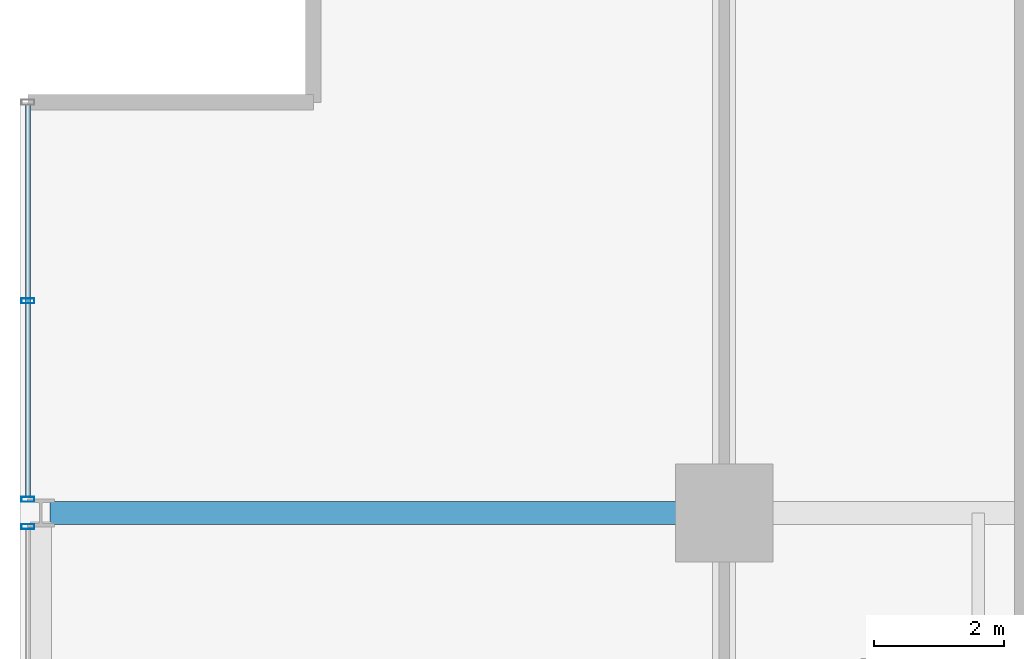
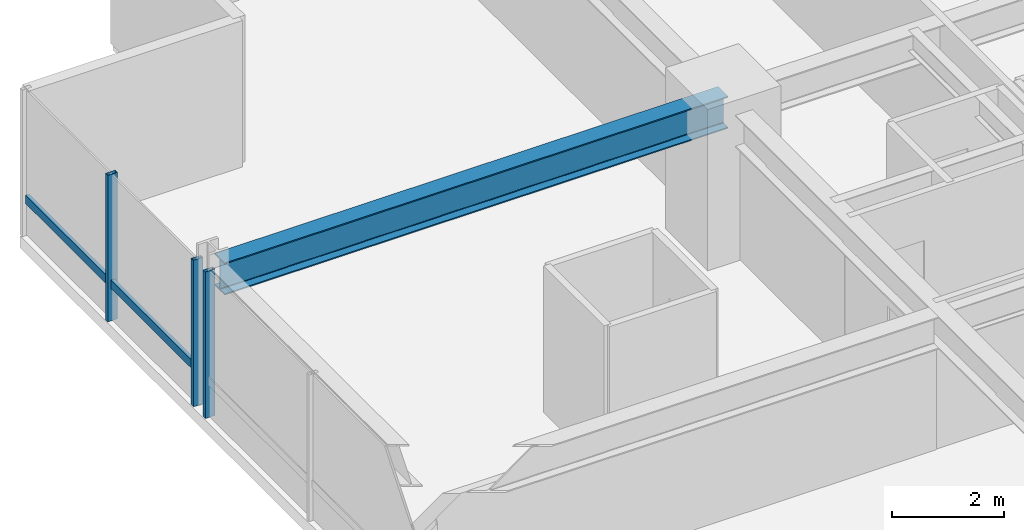
# One storey, part 18 of 35: 4 members, 1 beam, 2 elements without a shape of their own.
"""IFC4 building model written with IfcOpenShell, lengths in metres."""

from ifc_helpers import new_model, si_unit, direction, frame, origin, origin_2d, place, context, subcontext, project, spatial, hollow_rectangle, i_section, extrude, material, layer, layer_set, material_profile, profile_set, type_object, element, aggregate, save


model = new_model("IFC4")

# Units and contexts
model_context = context("Model", 3, precision=1e-05, world=origin(), true_north=direction((0.0, 1.0)))
body_context = subcontext(model_context, "Body", "Model", "MODEL_VIEW")
ifc_project = project(units=[si_unit("LENGTHUNIT", "METRE"), si_unit("AREAUNIT", "SQUARE_METRE"), si_unit("VOLUMEUNIT", "CUBIC_METRE"), si_unit("PLANEANGLEUNIT", "RADIAN"), si_unit("MASSUNIT", "GRAM", prefix="KILO")], contexts=[model_context])

# Site, building, storey
site_placement = place(None, origin())
site = spatial("IfcSite", under=ifc_project, at=site_placement, CompositionType="ELEMENT")
building_placement = place(site_placement, origin())
building = spatial("IfcBuilding", under=site, at=building_placement, Name="Drelvath Grand Hotel", CompositionType="ELEMENT")
storey_placement = place(building_placement, frame((0.0, 0.0, 137.300048828125)))
storey = spatial("IfcBuildingStorey", under=building, at=storey_placement, Name="L35", CompositionType="ELEMENT", Elevation=137.300048828125)

# Curtain wall, member
ifc_material_1 = material(Name="Champagne Bronze Anodised Aluminium Frame", Category="aluminium")
ifc_layer = layer(ifc_material_1, 0.199951171875)
ifc_layer_set = layer_set([ifc_layer], Name="Champagne Bronze Anodised Aluminium Frame")
curtain_wall_type = type_object("IfcCurtainWallType", Name="Stick Curtain Wall CW-03 Champagne Bronze Mid-Rise", PredefinedType="NOTDEFINED", material=ifc_layer_set)
curtain_wall_1_placement = place(storey_placement, origin())
curtain_wall_1 = element("IfcCurtainWall", 1, at=curtain_wall_1_placement, inside=storey, type_object=curtain_wall_type, Name="L35 CW-03 Curtain Wall CW03-L35-WN3", PredefinedType="NOTDEFINED")
ifc_material_profile_1 = material_profile(ifc_material_1, hollow_rectangle(XDim=0.074951171875, YDim=0.179931640625, WallThickness=0.0048828125, at=origin_2d()), Name="HSS180X75X5")
ifc_profile_set_1 = profile_set([ifc_material_profile_1], Name="Champagne Bronze Anodised Aluminium Frame")
member_type_1 = type_object("IfcMemberType", Name="Curtain Wall Horizontal Transom CW-03 HSS180X75X5", PredefinedType="USERDEFINED", material=ifc_profile_set_1)
member_1_placement = place(storey_placement, frame((-26.8798828125, 43.449462890625, 0.794921875), z_axis=(0.0, 1.0, 0.0), x_axis=(-1.0, 0.0, 0.0)))
member_1 = element("IfcMember", 2, at=member_1_placement, type_object=member_type_1, Name="CW03-L35-WN3 Sill Transom", ObjectType="TRANSOM", PredefinedType="USERDEFINED", context=body_context, shape_type="SweptSolid", body=[
    extrude(hollow_rectangle(XDim=0.074951171875, YDim=0.179931640625, WallThickness=0.0048828125, at=origin_2d()), origin(), (0.0, 0.0, 1.0), 6.010498046875),
])

curtain_wall_2_placement = place(storey_placement, origin())
curtain_wall_2 = element("IfcCurtainWall", 3, at=curtain_wall_2_placement, inside=storey, type_object=curtain_wall_type, Name="L35 CW-03 Curtain Wall CW03-L35-WN2", PredefinedType="NOTDEFINED")
ifc_material_profile_2 = material_profile(ifc_material_1, hollow_rectangle(XDim=0.080078125, YDim=0.199951171875, WallThickness=0.0048828125, at=origin_2d()), Name="HSS200X80X5")
ifc_profile_set_2 = profile_set([ifc_material_profile_2], Name="Champagne Bronze Anodised Aluminium Frame")
member_type_2 = type_object("IfcMemberType", Name="Curtain Wall Vertical Mullion CW-03 HSS200X80X5", PredefinedType="MULLION", material=ifc_profile_set_2)
member_2_placement = place(storey_placement, frame((-26.8798828125, 42.990478515625, 0.0), z_axis=(0.0, 0.0, 1.0), x_axis=(0.0, 1.0, 0.0)))
member_2 = element("IfcMember", 4, at=member_2_placement, type_object=member_type_2, Name="CW03-L35-WN2 Mullion 3", PredefinedType="MULLION", context=body_context, shape_type="SweptSolid", body=[
    extrude(hollow_rectangle(XDim=0.080078125, YDim=0.199951171875, WallThickness=0.0048828125, at=origin_2d()), origin(), (0.0, 0.0, 1.0), 3.179931640625),
])
aggregate(curtain_wall_2, [member_2])

# Member
member_3_placement = place(storey_placement, frame((-26.8798828125, 43.409423828125, 0.0), z_axis=(0.0, 0.0, 1.0), x_axis=(0.0, 1.0, 0.0)))
member_3 = element("IfcMember", 5, at=member_3_placement, type_object=member_type_2, Name="CW03-L35-WN3 Mullion 1", PredefinedType="MULLION", context=body_context, shape_type="SweptSolid", body=[
    extrude(hollow_rectangle(XDim=0.080078125, YDim=0.199951171875, WallThickness=0.0048828125, at=origin_2d()), origin(), (0.0, 0.0, 1.0), 3.179931640625),
])

member_4_placement = place(storey_placement, frame((-26.8798828125, 46.45458984375, 0.0), z_axis=(0.0, 0.0, 1.0), x_axis=(0.0, 1.0, 0.0)))
member_4 = element("IfcMember", 6, at=member_4_placement, type_object=member_type_2, Name="CW03-L35-WN3 Mullion 2", PredefinedType="MULLION", context=body_context, shape_type="SweptSolid", body=[
    extrude(hollow_rectangle(XDim=0.080078125, YDim=0.199951171875, WallThickness=0.0048828125, at=origin_2d()), origin(), (0.0, 0.0, 1.0), 3.179931640625),
])

aggregate(curtain_wall_1, [member_3, member_4, member_1])

# Beam
ifc_material_2 = material(Name="Steel ASTM A992 Gr 50", Category="steel")
ifc_material_profile_3 = material_profile(ifc_material_2, i_section(OverallWidth=0.354736328125, OverallDepth=0.695556640625, WebThickness=0.015380859375, FlangeThickness=0.025146484375, FilletRadius=0.02392578125, at=origin_2d()), Name="W27X146")
ifc_profile_set_3 = profile_set([ifc_material_profile_3], Name="Steel ASTM A992 Gr 50")
beam_type = type_object("IfcBeamType", Name="Primary Floor Girder W27X146", PredefinedType="BEAM", material=ifc_profile_set_3)
beam_placement = place(storey_placement, frame((-26.5400390625, 43.199951171875, 2.83203125), z_axis=(1.0, 0.0, 0.0), x_axis=(0.0, 1.0, 0.0)))
element("IfcBeam", 7, at=beam_placement, inside=storey, type_object=beam_type, Name="L35 West Grid Girder G", PredefinedType="BEAM", context=body_context, shape_type="SweptSolid", body=[
    extrude(i_section(OverallWidth=0.354736328125, OverallDepth=0.695556640625, WebThickness=0.015380859375, FlangeThickness=0.025146484375, FilletRadius=0.02392578125, at=origin_2d()), origin(), (0.0, 0.0, 1.0), 10.340087890625),
])

save(model, "model.ifc")
